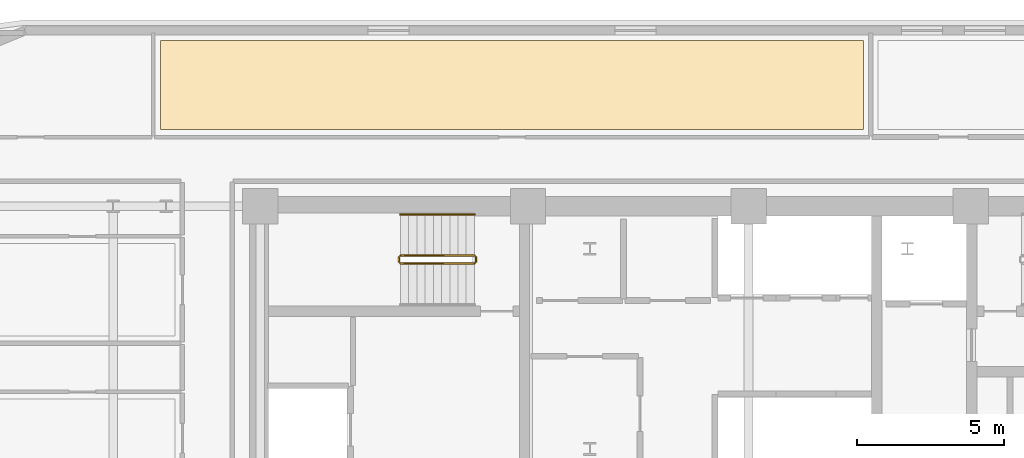
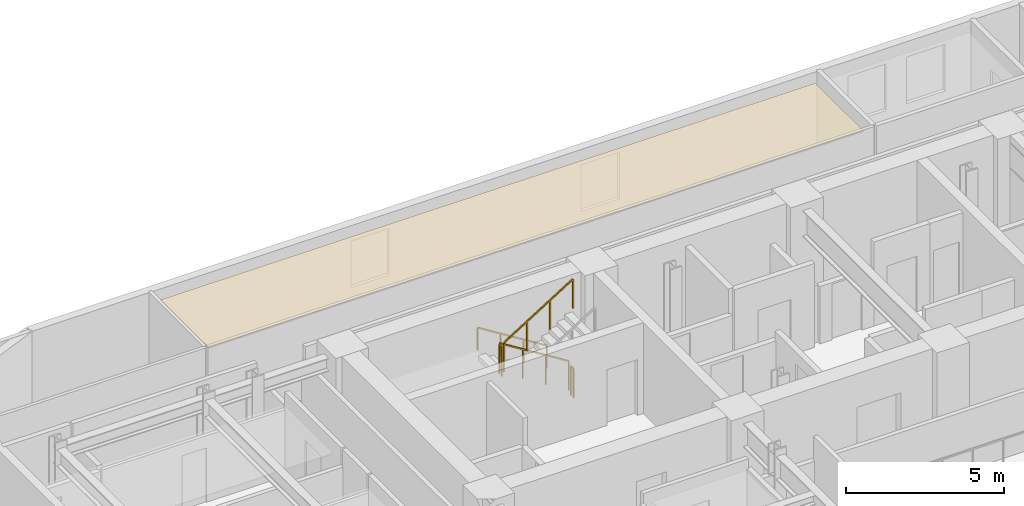
# One storey, part 15 of 16: 5 railings, 1 covering.
"""IFC4 building model written with IfcOpenShell, lengths in metres."""

from ifc_helpers import new_model, si_unit, direction, frame, origin, origin_2d, place, context, subcontext, project, spatial, polyline, rectangle, outline, extrude, material, layer, layer_set, type_object, element, save


model = new_model("IFC4")

# Units and contexts
model_context = context("Model", 3, precision=1e-05, world=origin(), true_north=direction((0.0, 1.0)))
body_context = subcontext(model_context, "Body", "Model", "MODEL_VIEW")
ifc_project = project(units=[si_unit("LENGTHUNIT", "METRE"), si_unit("AREAUNIT", "SQUARE_METRE"), si_unit("VOLUMEUNIT", "CUBIC_METRE"), si_unit("PLANEANGLEUNIT", "RADIAN"), si_unit("MASSUNIT", "GRAM", prefix="KILO")], contexts=[model_context])

# Site, building, storey
site_placement = place(None, origin())
site = spatial("IfcSite", under=ifc_project, at=site_placement, CompositionType="ELEMENT")
building_placement = place(site_placement, origin())
building = spatial("IfcBuilding", under=site, at=building_placement, Name="Zarnavel Station Tower", CompositionType="ELEMENT")
storey_placement = place(building_placement, frame((0.0, 0.0, 101.300048828125)))
storey = spatial("IfcBuildingStorey", under=building, at=storey_placement, Name="L27", CompositionType="ELEMENT", Elevation=101.300048828125)

# Covering
ifc_material_1 = material(Name="Perforated Gypsum and Mineral-Wool Acoustic Ceiling", Category="concrete")
ifc_layer = layer(ifc_material_1, 0.0400390625)
ifc_layer_set = layer_set([ifc_layer], Name="COV_CEIL_ACOUSTIC")
covering_type = type_object("IfcCoveringType", Name="COV_CEIL_ACOUSTIC", PredefinedType="CEILING", material=ifc_layer_set)
covering_placement = place(storey_placement, frame((0.0, 0.0, 2.919921875)))
element("IfcCovering", 1, at=covering_placement, inside=storey, type_object=covering_type, Name="L27 NCLB Acoustic Ceiling", PredefinedType="CEILING", context=body_context, shape_type="SweptSolid", body=[
    extrude(outline(polyline([(8.81005859375, 39.64990234375), (32.699951171875, 39.64990234375), (32.699951171875, 42.68994140625), (8.81005859375, 42.68994140625), (8.81005859375, 39.64990234375)])), origin(), (0.0, 0.0, 1.0), 0.0400390625),
])

# Railings
ifc_material_2 = material(Name="Painted Steel S355J2 Balustrade", Category="steel")
railing_type_1 = type_object("IfcRailingType", Name="GR_INT_1150", PredefinedType="GUARDRAIL", material=ifc_material_2)
railing_1_placement = place(storey_placement, frame((19.47998046875, 35.3701171875, 0.175048828125)))
element("IfcRailing", 2, at=railing_1_placement, inside=storey, type_object=railing_type_1, Name="L27 ST1 stair guard 1", PredefinedType="GUARDRAIL", context=body_context, shape_type="SweptSolid", body=[
    extrude(rectangle(XDim=0.048095703125, YDim=0.048095703125, at=origin_2d()), frame((-0.001708984375, 0.0, 1.126953125), z_axis=(-0.848007534815, 0.0, 0.529984170421), x_axis=(0.0, -1.0, 0.0)), (0.0, 0.0, 1.0), 2.9677734375),
    extrude(rectangle(XDim=0.0419921875, YDim=0.0419921875, at=origin_2d()), origin(), (0.0, 0.0, 1.0), 1.101806640625),
    extrude(rectangle(XDim=0.0419921875, YDim=0.0419921875, at=origin_2d()), frame((-0.840087890625, 0.0, 0.52490234375)), (0.0, 0.0, 1.0), 1.101806640625),
    extrude(rectangle(XDim=0.0419921875, YDim=0.0419921875, at=origin_2d()), frame((-1.679931640625, 0.0, 1.050048828125)), (0.0, 0.0, 1.0), 1.101806640625),
    extrude(rectangle(XDim=0.0419921875, YDim=0.0419921875, at=origin_2d()), frame((-2.52001953125, 0.0, 1.574951171875)), (0.0, 0.0, 1.0), 1.101806640625),
])
railing_2_placement = place(storey_placement, frame((16.909912109375, 35.320068359375, 1.75)))
element("IfcRailing", 3, at=railing_2_placement, inside=storey, type_object=railing_type_1, Name="L27 ST1 stair guard 2", PredefinedType="GUARDRAIL", context=body_context, shape_type="SweptSolid", body=[
    extrude(rectangle(XDim=0.048095703125, YDim=0.048095703125, at=origin_2d()), frame((0.0, -0.001953125, 1.1259765625), z_axis=(0.0, -1.0, 0.0), x_axis=(1.0, 0.0, 0.0)), (0.0, 0.0, 1.0), 0.15625),
    extrude(rectangle(XDim=0.0419921875, YDim=0.0419921875, at=origin_2d()), origin(), (0.0, 0.0, 1.0), 1.101806640625),
    extrude(rectangle(XDim=0.0419921875, YDim=0.0419921875, at=origin_2d()), frame((0.0, -0.16015625, 0.0)), (0.0, 0.0, 1.0), 1.101806640625),
])
railing_3_placement = place(storey_placement, frame((16.9599609375, 35.110107421875, 1.925048828125)))
element("IfcRailing", 4, at=railing_3_placement, inside=storey, type_object=railing_type_1, Name="L27 ST1 stair guard 3", PredefinedType="GUARDRAIL", context=body_context, shape_type="SweptSolid", body=[
    extrude(rectangle(XDim=0.048095703125, YDim=0.048095703125, at=origin_2d()), frame((0.001708984375, 0.0, 1.126953125), z_axis=(0.848007534815, 0.0, 0.529984170421), x_axis=(0.0, 1.0, 0.0)), (0.0, 0.0, 1.0), 2.9677734375),
    extrude(rectangle(XDim=0.0419921875, YDim=0.0419921875, at=origin_2d()), origin(), (0.0, 0.0, 1.0), 1.101806640625),
    extrude(rectangle(XDim=0.0419921875, YDim=0.0419921875, at=origin_2d()), frame((0.840087890625, 0.0, 0.52490234375)), (0.0, 0.0, 1.0), 1.101806640625),
    extrude(rectangle(XDim=0.0419921875, YDim=0.0419921875, at=origin_2d()), frame((1.679931640625, 0.0, 1.050048828125)), (0.0, 0.0, 1.0), 1.101806640625),
    extrude(rectangle(XDim=0.0419921875, YDim=0.0419921875, at=origin_2d()), frame((2.52001953125, 0.0, 1.574951171875)), (0.0, 0.0, 1.0), 1.101806640625),
])
railing_4_placement = place(storey_placement, frame((19.530029296875, 35.320068359375, 0.0)))
element("IfcRailing", 5, at=railing_4_placement, inside=storey, type_object=railing_type_1, Name="L27 ST1 stair guard 4", PredefinedType="GUARDRAIL", context=body_context, shape_type="SweptSolid", body=[
    extrude(rectangle(XDim=0.048095703125, YDim=0.048095703125, at=origin_2d()), frame((0.0, -0.001953125, 1.1259765625), z_axis=(0.0, -1.0, 0.0), x_axis=(1.0, 0.0, 0.0)), (0.0, 0.0, 1.0), 0.15625),
    extrude(rectangle(XDim=0.0419921875, YDim=0.0419921875, at=origin_2d()), origin(), (0.0, 0.0, 1.0), 1.101806640625),
    extrude(rectangle(XDim=0.0419921875, YDim=0.0419921875, at=origin_2d()), frame((0.0, -0.16015625, 0.0)), (0.0, 0.0, 1.0), 1.101806640625),
])
ifc_material_3 = material(Name="Brushed Stainless Steel S355J2 Handrail", Category="steel")
railing_type_2 = type_object("IfcRailingType", Name="HR_STAIR_900", PredefinedType="HANDRAIL", material=ifc_material_3)
railing_5_placement = place(storey_placement, frame((19.47998046875, 36.77001953125, 0.175048828125)))
element("IfcRailing", 6, at=railing_5_placement, inside=storey, type_object=railing_type_2, Name="L27 ST1 stair handrail 1", PredefinedType="HANDRAIL", context=body_context, shape_type="SweptSolid", body=[
    extrude(rectangle(XDim=0.048095703125, YDim=0.048095703125, at=origin_2d()), frame((-0.001708984375, 0.0, 0.876953125), z_axis=(-0.848007534815, 0.0, 0.529984170421), x_axis=(0.0, -1.0, 0.0)), (0.0, 0.0, 1.0), 2.9677734375),
    extrude(rectangle(XDim=0.0419921875, YDim=0.0419921875, at=origin_2d()), origin(), (0.0, 0.0, 1.0), 0.851806640625),
    extrude(rectangle(XDim=0.0419921875, YDim=0.0419921875, at=origin_2d()), frame((-0.840087890625, 0.0, 0.52490234375)), (0.0, 0.0, 1.0), 0.851806640625),
    extrude(rectangle(XDim=0.0419921875, YDim=0.0419921875, at=origin_2d()), frame((-1.679931640625, 0.0, 1.050048828125)), (0.0, 0.0, 1.0), 0.851806640625),
    extrude(rectangle(XDim=0.0419921875, YDim=0.0419921875, at=origin_2d()), frame((-2.52001953125, 0.0, 1.574951171875)), (0.0, 0.0, 1.0), 0.851806640625),
])

save(model, "model.ifc")
